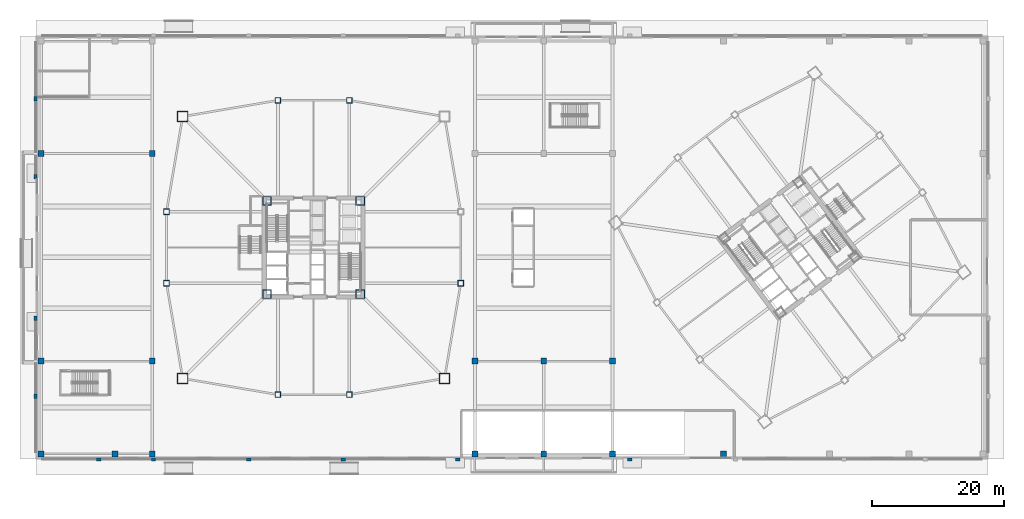
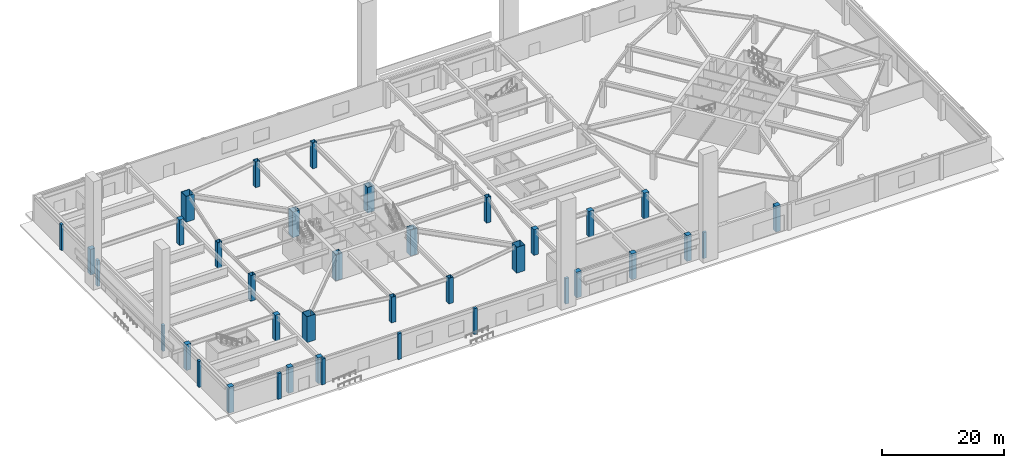
# One storey, part 1 of 26: 38 columns.
"""IFC4 building model written with IfcOpenShell, lengths in metres."""

from ifc_helpers import new_model, si_unit, direction, frame, origin, origin_2d, place, context, subcontext, project, spatial, rectangle, hollow_rectangle, extrude, material, material_profile, profile_set, type_object, element, save


model = new_model("IFC4")

# Units and contexts
model_context = context("Model", 3, precision=1e-05, world=origin(), true_north=direction((0.0, 1.0)))
body_context = subcontext(model_context, "Body", "Model", "MODEL_VIEW")
ifc_project = project(units=[si_unit("LENGTHUNIT", "METRE"), si_unit("AREAUNIT", "SQUARE_METRE"), si_unit("VOLUMEUNIT", "CUBIC_METRE"), si_unit("PLANEANGLEUNIT", "RADIAN"), si_unit("MASSUNIT", "GRAM", prefix="KILO")], contexts=[model_context])

# Site, building, storey
site_placement = place(None, origin())
site = spatial("IfcSite", under=ifc_project, at=site_placement, CompositionType="ELEMENT")
building_placement = place(site_placement, origin())
building = spatial("IfcBuilding", under=site, at=building_placement, Name="Tashvorn Skyway Center", CompositionType="ELEMENT")
storey_placement = place(building_placement, origin())
storey = spatial("IfcBuildingStorey", under=building, at=storey_placement, Name="L00", CompositionType="ELEMENT", Elevation=0.0)

# Columns
ifc_material_1 = material(Name="Steel ASTM A572 Grade 50", Category="steel")
ifc_material_profile_1 = material_profile(ifc_material_1, hollow_rectangle(XDim=1.300048828125, YDim=1.300048828125, WallThickness=0.050048828125, at=origin_2d()), Name="BOX1300x1300x50")
ifc_profile_set_1 = profile_set([ifc_material_profile_1], Name="Steel ASTM A572 Grade 50")
column_type_1 = type_object("IfcColumnType", Name="COL-BOX1300x1300x50", PredefinedType="COLUMN", material=ifc_profile_set_1)
for number, where, z_axis, x_axis, name in (
    (1, (34.949951171875, 24.949951171875, 0.0), (0.0, 0.0, 1.0), (1.0, 0.0, 0.0), "Tower 1 L00 Core Corner Column CC-SW"),
    (2, (49.050048828125, 24.949951171875, 0.0), (0.0, 0.0, 1.0), (1.0, 0.0, 0.0), "Tower 1 L00 Core Corner Column CC-SE"),
    (3, (49.050048828125, 39.050048828125, 0.0), (0.0, 0.0, 1.0), (1.0, 0.0, 0.0), "Tower 1 L00 Core Corner Column CC-NE"),
    (4, (34.949951171875, 39.050048828125, 0.0), (0.0, 0.0, 1.0), (1.0, 0.0, 0.0), "Tower 1 L00 Core Corner Column CC-NW"),
):
    element("IfcColumn", number, at=place(storey_placement, frame(where, z_axis=z_axis, x_axis=x_axis)), inside=storey, type_object=column_type_1, Name=name, PredefinedType="COLUMN", context=body_context, shape_type="SweptSolid", body=[
        extrude(hollow_rectangle(XDim=1.300048828125, YDim=1.300048828125, WallThickness=0.050048828125, at=origin_2d()), origin(), (0.0, 0.0, 1.0), 5.139892578125),
    ])
ifc_material_profile_2 = material_profile(ifc_material_1, hollow_rectangle(XDim=1.60009765625, YDim=1.60009765625, WallThickness=0.06005859375, at=origin_2d()), Name="BOX1600x1600x60")
ifc_profile_set_2 = profile_set([ifc_material_profile_2], Name="Steel ASTM A572 Grade 50")
column_type_2 = type_object("IfcColumnType", Name="COL-BOX1600x1600x60", PredefinedType="COLUMN", material=ifc_profile_set_2)
for number, where, z_axis, x_axis, name in (
    (5, (22.199951171875, 12.199951171875, 0.0), (0.0, 0.0, 1.0), (1.0, 0.0, 0.0), "Tower 1 L00 Mega-Column MC-SW"),
    (6, (61.800048828125, 12.199951171875, 0.0), (0.0, 0.0, 1.0), (1.0, 0.0, 0.0), "Tower 1 L00 Mega-Column MC-SE"),
    (7, (22.199951171875, 51.800048828125, 0.0), (0.0, 0.0, 1.0), (1.0, 0.0, 0.0), "Tower 1 L00 Mega-Column MC-NW"),
):
    element("IfcColumn", number, at=place(storey_placement, frame(where, z_axis=z_axis, x_axis=x_axis)), inside=storey, type_object=column_type_2, Name=name, PredefinedType="COLUMN", context=body_context, shape_type="SweptSolid", body=[
        extrude(hollow_rectangle(XDim=1.60009765625, YDim=1.60009765625, WallThickness=0.06005859375, at=origin_2d()), origin(), (0.0, 0.0, 1.0), 5.139892578125),
    ])
ifc_material_profile_3 = material_profile(ifc_material_1, hollow_rectangle(XDim=0.85009765625, YDim=0.85009765625, WallThickness=0.034912109375, at=origin_2d()), Name="BOX850x850x35")
ifc_profile_set_3 = profile_set([ifc_material_profile_3], Name="Steel ASTM A572 Grade 50")
column_type_3 = type_object("IfcColumnType", Name="COL-BOX850x850x35", PredefinedType="COLUMN", material=ifc_profile_set_3)
for number, where, z_axis, x_axis, name in (
    (8, (36.60009765625, 9.75, 0.0), (0.0, 0.0, 1.0), (1.0, 0.0, 0.0), "Tower 1 L00 Perimeter Column FC-S1"),
    (9, (47.39990234375, 9.75, 0.0), (0.0, 0.0, 1.0), (1.0, 0.0, 0.0), "Tower 1 L00 Perimeter Column FC-S2"),
    (10, (64.25, 26.60009765625, 0.0), (0.0, 0.0, 1.0), (1.0, 0.0, 0.0), "Tower 1 L00 Perimeter Column FC-E1"),
    (11, (47.39990234375, 54.25, 0.0), (0.0, 0.0, 1.0), (1.0, 0.0, 0.0), "Tower 1 L00 Perimeter Column FC-N1"),
    (12, (36.60009765625, 54.25, 0.0), (0.0, 0.0, 1.0), (1.0, 0.0, 0.0), "Tower 1 L00 Perimeter Column FC-N2"),
    (13, (19.75, 37.39990234375, 0.0), (0.0, 0.0, 1.0), (1.0, 0.0, 0.0), "Tower 1 L00 Perimeter Column FC-W1"),
    (14, (19.75, 26.60009765625, 0.0), (0.0, 0.0, 1.0), (1.0, 0.0, 0.0), "Tower 1 L00 Perimeter Column FC-W2"),
):
    element("IfcColumn", number, at=place(storey_placement, frame(where, z_axis=z_axis, x_axis=x_axis)), inside=storey, type_object=column_type_3, Name=name, PredefinedType="COLUMN", context=body_context, shape_type="SweptSolid", body=[
        extrude(hollow_rectangle(XDim=0.85009765625, YDim=0.85009765625, WallThickness=0.034912109375, at=origin_2d()), origin(), (0.0, 0.0, 1.0), 5.139892578125),
    ])
ifc_material_2 = material(Name="Concrete C50/60", Category="concrete")
ifc_material_profile_4 = material_profile(ifc_material_2, rectangle(XDim=0.89990234375, YDim=0.89990234375, at=origin_2d()), Name="RC900x900")
ifc_profile_set_4 = profile_set([ifc_material_profile_4], Name="Concrete C50/60")
column_type_4 = type_object("IfcColumnType", Name="COL-RC900x900", PredefinedType="COLUMN", material=ifc_profile_set_4)
for number, where, z_axis, x_axis, name in (
    (15, (0.800048828125, 0.800048828125, 0.0), (0.0, 0.0, 1.0), (1.0, 0.0, 0.0), "L00 Podium Column PC-01-1"),
    (16, (12.0, 0.800048828125, 0.0), (0.0, 0.0, 1.0), (1.0, 0.0, 0.0), "L00 Podium Column PC-02-1"),
    (17, (17.60009765625, 0.800048828125, 0.0), (0.0, 0.0, 1.0), (1.0, 0.0, 0.0), "L00 Podium Column PC-03-1"),
    (18, (66.39990234375, 0.800048828125, 0.0), (0.0, 0.0, 1.0), (1.0, 0.0, 0.0), "L00 Podium Column PC-04-1"),
    (19, (76.800048828125, 0.800048828125, 0.0), (0.0, 0.0, 1.0), (1.0, 0.0, 0.0), "L00 Podium Column PC-05-1"),
    (20, (87.199951171875, 0.800048828125, 0.0), (0.0, 0.0, 1.0), (1.0, 0.0, 0.0), "L00 Podium Column PC-06-1"),
    (21, (104.0, 0.800048828125, 0.0), (0.0, 0.0, 1.0), (1.0, 0.0, 0.0), "L00 Podium Column PC-07-1"),
    (22, (0.800048828125, 14.800048828125, 0.0), (0.0, 0.0, 1.0), (1.0, 0.0, 0.0), "L00 Podium Column PIC-01-1"),
    (23, (0.800048828125, 46.199951171875, 0.0), (0.0, 0.0, 1.0), (1.0, 0.0, 0.0), "L00 Podium Column PIC-01-2"),
    (24, (17.60009765625, 14.800048828125, 0.0), (0.0, 0.0, 1.0), (1.0, 0.0, 0.0), "L00 Podium Column PIC-02-1"),
    (25, (17.60009765625, 46.199951171875, 0.0), (0.0, 0.0, 1.0), (1.0, 0.0, 0.0), "L00 Podium Column PIC-02-2"),
    (26, (66.39990234375, 14.800048828125, 0.0), (0.0, 0.0, 1.0), (1.0, 0.0, 0.0), "L00 Podium Column PIC-03-1"),
    (27, (76.800048828125, 14.800048828125, 0.0), (0.0, 0.0, 1.0), (1.0, 0.0, 0.0), "L00 Podium Column PIC-04-1"),
    (28, (87.199951171875, 14.800048828125, 0.0), (0.0, 0.0, 1.0), (1.0, 0.0, 0.0), "L00 Podium Column PIC-05-1"),
):
    element("IfcColumn", number, at=place(storey_placement, frame(where, z_axis=z_axis, x_axis=x_axis)), inside=storey, type_object=column_type_4, Name=name, PredefinedType="COLUMN", context=body_context, shape_type="SweptSolid", body=[
        extrude(rectangle(XDim=0.89990234375, YDim=0.89990234375, at=origin_2d()), origin(), (0.0, 0.0, 1.0), 5.139892578125),
    ])
ifc_material_3 = material(Name="Precast concrete C40/50", Category="concrete")
ifc_material_profile_5 = material_profile(ifc_material_3, rectangle(XDim=0.64990234375, YDim=0.449951171875, at=origin_2d()), Name="RCPIL650x450")
ifc_profile_set_5 = profile_set([ifc_material_profile_5], Name="Precast concrete C40/50")
column_type_5 = type_object("IfcColumnType", Name="PIL-RCPIL650x450", PredefinedType="PILASTER", material=ifc_profile_set_5)
for number, where, z_axis, x_axis, name in (
    (29, (9.5, -0.050048828125, 0.0), (0.0, 0.0, 1.0), (1.0, 0.0, 0.0), "L00 South Terracotta Colonnade Pilaster 1"),
    (30, (17.800048828125, -0.050048828125, 0.0), (0.0, 0.0, 1.0), (1.0, 0.0, 0.0), "L00 South Terracotta Colonnade Pilaster 2"),
    (31, (32.199951171875, -0.050048828125, 0.0), (0.0, 0.0, 1.0), (1.0, 0.0, 0.0), "L00 South Terracotta Colonnade Pilaster 3"),
    (32, (46.5, -0.050048828125, 0.0), (0.0, 0.0, 1.0), (1.0, 0.0, 0.0), "L00 South Terracotta Colonnade Pilaster 4"),
    (33, (63.800048828125, -0.050048828125, 0.0), (0.0, 0.0, 1.0), (1.0, 0.0, 0.0), "L00 South Terracotta Colonnade Pilaster 5"),
    (34, (89.800048828125, -0.050048828125, 0.0), (0.0, 0.0, 1.0), (1.0, 0.0, 0.0), "L00 South Terracotta Colonnade Pilaster 6"),
    (35, (-0.050048828125, 9.5, 0.0), (0.0, 0.0, 1.0), (0.0, 1.0, 0.0), "L00 West Terracotta Colonnade Pilaster 1"),
    (36, (-0.050048828125, 21.300048828125, 0.0), (0.0, 0.0, 1.0), (0.0, 1.0, 0.0), "L00 West Terracotta Colonnade Pilaster 2"),
    (37, (-0.050048828125, 42.699951171875, 0.0), (0.0, 0.0, 1.0), (0.0, 1.0, 0.0), "L00 West Terracotta Colonnade Pilaster 3"),
    (38, (-0.050048828125, 54.5, 0.0), (0.0, 0.0, 1.0), (0.0, 1.0, 0.0), "L00 West Terracotta Colonnade Pilaster 4"),
):
    element("IfcColumn", number, at=place(storey_placement, frame(where, z_axis=z_axis, x_axis=x_axis)), inside=storey, type_object=column_type_5, Name=name, PredefinedType="PILASTER", context=body_context, shape_type="SweptSolid", body=[
        extrude(rectangle(XDim=0.64990234375, YDim=0.449951171875, at=origin_2d()), origin(), (0.0, 0.0, 1.0), 5.139892578125),
    ])

save(model, "model.ifc")
